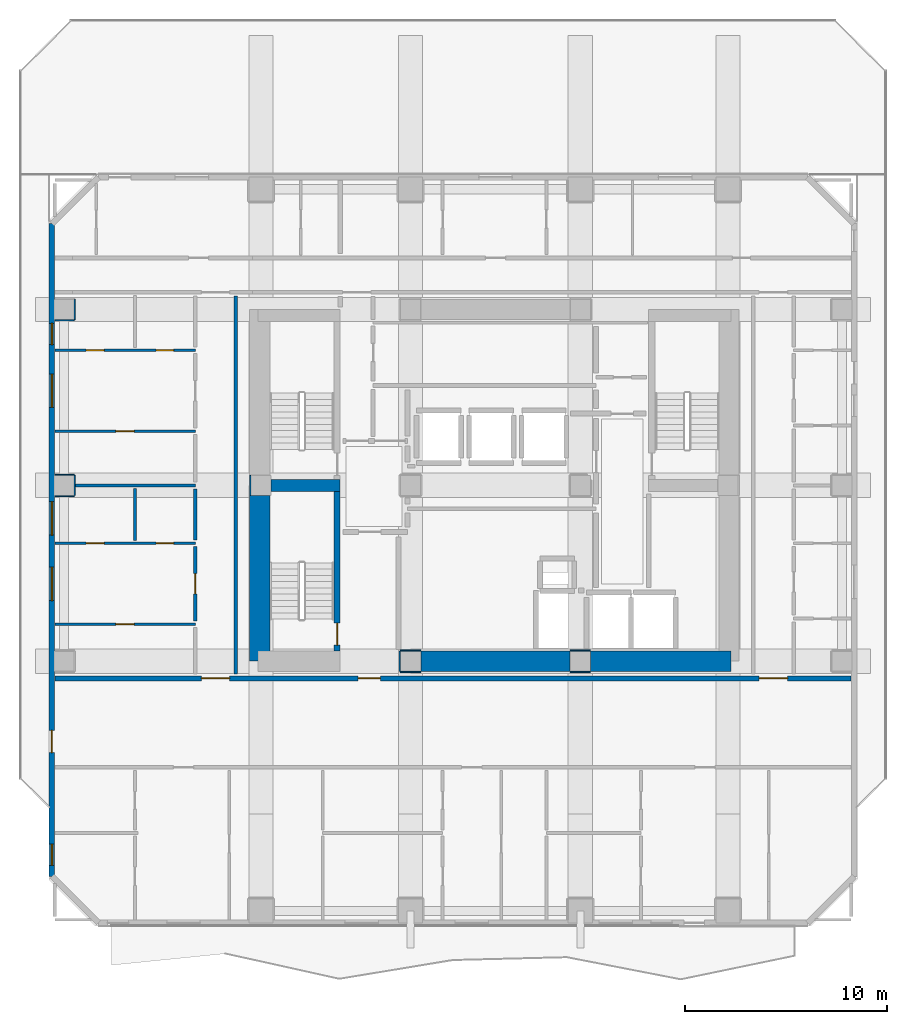
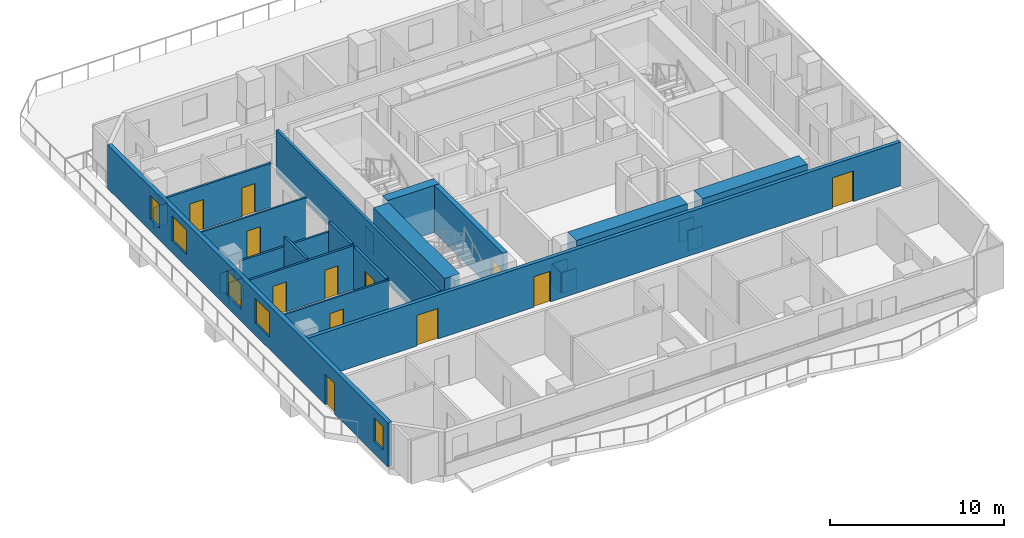
# One storey, part 3 of 11: 27 walls, 12 doors, 5 windows, 17 openings.
"""IFC4 building model written with IfcOpenShell, lengths in metres."""

from ifc_helpers import new_model, si_unit, direction, frame, frame_2d, origin, place, context, subcontext, project, spatial, rectangle, extrude, material, layer, layer_set, type_object, element, fill, save


model = new_model("IFC4")

# Units and contexts
model_context = context("Model", 3, precision=1e-05, world=origin(), true_north=direction((0.0, 1.0)))
body_context = subcontext(model_context, "Body", "Model", "MODEL_VIEW")
ifc_project = project(units=[si_unit("LENGTHUNIT", "METRE"), si_unit("AREAUNIT", "SQUARE_METRE"), si_unit("VOLUMEUNIT", "CUBIC_METRE"), si_unit("PLANEANGLEUNIT", "RADIAN"), si_unit("MASSUNIT", "GRAM", prefix="KILO")], contexts=[model_context])

# Site, building, storey
site_placement = place(None, origin())
site = spatial("IfcSite", under=ifc_project, at=site_placement, CompositionType="ELEMENT")
building_placement = place(site_placement, origin())
building = spatial("IfcBuilding", under=site, at=building_placement, Name="Solanera Arch Residences", CompositionType="ELEMENT")
storey_placement = place(building_placement, frame((0.0, 0.0, 106.080078125)))
storey = spatial("IfcBuildingStorey", under=building, at=storey_placement, Name="L30", CompositionType="ELEMENT", Elevation=106.080078125)

# Walls
ifc_material_1 = material(Name="Fire-Rated Gypsum Stud Partition", Category="gypsum")
ifc_layer_1 = layer(ifc_material_1, 0.06005859375)
ifc_layer_set_1 = layer_set([ifc_layer_1], Name="Fire-Rated Gypsum Stud Partition")
wall_type_1 = type_object("IfcWallType", Name="Column Acoustic Furring Wall 60", PredefinedType="PARTITIONING", material=ifc_layer_set_1)
for number, where, z_axis, x_axis, name in (
    (1, (20.300048828125, 21.468017578125, 0.0), (0.0, 0.0, 1.0), (1.0, 0.0, 0.0), "L30 Column Furring 1S"),
    (2, (20.300048828125, 22.531982421875, 0.0), (0.0, 0.0, 1.0), (1.0, 0.0, 0.0), "L30 Column Furring 1N"),
    (3, (20.26806640625, 21.5, 0.0), (0.0, 0.0, 1.0), (0.0, 1.0, 0.0), "L30 Column Furring 1W"),
    (4, (28.699951171875, 21.468017578125, 0.0), (0.0, 0.0, 1.0), (1.0, 0.0, 0.0), "L30 Column Furring 2S"),
    (5, (28.699951171875, 22.531982421875, 0.0), (0.0, 0.0, 1.0), (1.0, 0.0, 0.0), "L30 Column Furring 2N"),
):
    element("IfcWall", number, at=place(storey_placement, frame(where, z_axis=z_axis, x_axis=x_axis)), inside=storey, type_object=wall_type_1, Name=name, PredefinedType="PARTITIONING", context=body_context, shape_type="SweptSolid", body=[
        extrude(rectangle(XDim=1.0, YDim=0.06005859375, at=frame_2d((0.5, 0.0))), origin(), (0.0, 0.0, 1.0), 1.449951171875),
    ])
wall_1_placement = place(storey_placement, frame((12.867919921875, 30.2099609375, 0.0), z_axis=(0.0, 0.0, 1.0), x_axis=(0.0, 1.0, 0.0)))
element("IfcWall", 6, at=wall_1_placement, inside=storey, type_object=wall_type_1, Name="L30 Column Furring 5W", PredefinedType="PARTITIONING", context=body_context, shape_type="SweptSolid", body=[
    extrude(rectangle(XDim=0.97998046875, YDim=0.06005859375, at=frame_2d((0.489990234375, 0.0))), origin(), (0.0, 0.0, 1.0), 1.449951171875),
])
for number, where, z_axis, x_axis, name in (
    (7, (3.2099609375, 30.16796875, 0.0), (0.0, 0.0, 1.0), (1.0, 0.0, 0.0), "L30 Column Furring 19S"),
    (8, (3.2099609375, 31.23193359375, 0.0), (0.0, 0.0, 1.0), (1.0, 0.0, 0.0), "L30 Column Furring 19N"),
):
    element("IfcWall", number, at=place(storey_placement, frame(where, z_axis=z_axis, x_axis=x_axis)), inside=storey, type_object=wall_type_1, Name=name, PredefinedType="PARTITIONING", context=body_context, shape_type="SweptSolid", body=[
        extrude(rectangle(XDim=0.93994140625, YDim=0.06005859375, at=frame_2d((0.469970703125, 0.0))), origin(), (0.0, 0.0, 1.0), 1.449951171875),
    ])
wall_2_placement = place(storey_placement, frame((4.181884765625, 30.199951171875, 0.0), z_axis=(0.0, 0.0, 1.0), x_axis=(0.0, 1.0, 0.0)))
element("IfcWall", 9, at=wall_2_placement, inside=storey, type_object=wall_type_1, Name="L30 Column Furring 19E", PredefinedType="PARTITIONING", context=body_context, shape_type="SweptSolid", body=[
    extrude(rectangle(XDim=1.0, YDim=0.06005859375, at=frame_2d((0.5, 0.0))), origin(), (0.0, 0.0, 1.0), 1.449951171875),
])
wall_3_placement = place(storey_placement, frame((3.2099609375, 38.867919921875, 0.0), z_axis=(0.0, 0.0, 1.0), x_axis=(1.0, 0.0, 0.0)))
element("IfcWall", 10, at=wall_3_placement, inside=storey, type_object=wall_type_1, Name="L30 Column Furring 21S", PredefinedType="PARTITIONING", context=body_context, shape_type="SweptSolid", body=[
    extrude(rectangle(XDim=0.93994140625, YDim=0.06005859375, at=frame_2d((0.469970703125, 0.0))), origin(), (0.0, 0.0, 1.0), 1.449951171875),
])
wall_4_placement = place(storey_placement, frame((4.181884765625, 38.89990234375, 0.0), z_axis=(0.0, 0.0, 1.0), x_axis=(0.0, 1.0, 0.0)))
element("IfcWall", 11, at=wall_4_placement, inside=storey, type_object=wall_type_1, Name="L30 Column Furring 21E", PredefinedType="PARTITIONING", context=body_context, shape_type="SweptSolid", body=[
    extrude(rectangle(XDim=1.0, YDim=0.06005859375, at=frame_2d((0.5, 0.0))), origin(), (0.0, 0.0, 1.0), 1.449951171875),
])
ifc_material_2 = material(Name="Concrete C55/67 (f'c = 60 MPa)", Category="concrete")
ifc_layer_2 = layer(ifc_material_2, 1.0)
ifc_layer_set_2 = layer_set([ifc_layer_2], Name="Concrete C55/67 (f'c = 60 MPa)")
wall_type_2 = type_object("IfcWallType", Name="Core Shear Wall CW-1000", PredefinedType="SHEAR", material=ifc_layer_set_2)
wall_5_placement = place(storey_placement, frame((13.340087890625, 22.0, 0.0), z_axis=(0.0, 0.0, 1.0), x_axis=(0.0, 1.0, 0.0)))
element("IfcWall", 12, at=wall_5_placement, inside=storey, type_object=wall_type_2, Name="L30 West Core South Shear Wall", PredefinedType="SHEAR", context=body_context, shape_type="SweptSolid", body=[
    extrude(rectangle(XDim=8.195068359375, YDim=1.0, at=frame_2d((4.09765625, 0.0))), origin(), (0.0, 0.0, 1.0), 3.31982421875),
])
wall_6_placement = place(storey_placement, frame((29.705078125, 22.0, 0.0), z_axis=(0.0, 0.0, 1.0), x_axis=(1.0, 0.0, 0.0)))
element("IfcWall", 13, at=wall_6_placement, inside=storey, type_object=wall_type_2, Name="L30 South-East Core Shear Wall", PredefinedType="SHEAR", context=body_context, shape_type="SweptSolid", body=[
    extrude(rectangle(XDim=6.954833984375, YDim=1.0, at=frame_2d((3.4775390625, 0.0))), origin(), (0.0, 0.0, 1.0), 3.31982421875),
])
wall_7_placement = place(storey_placement, frame((21.304931640625, 22.0, 0.0), z_axis=(0.0, 0.0, 1.0), x_axis=(1.0, 0.0, 0.0)))
element("IfcWall", 14, at=wall_7_placement, inside=storey, type_object=wall_type_2, Name="L30 Central South Core Shear Wall", PredefinedType="SHEAR", context=body_context, shape_type="SweptSolid", body=[
    extrude(rectangle(XDim=7.39013671875, YDim=1.0, at=frame_2d((3.695068359375, 0.0))), origin(), (0.0, 0.0, 1.0), 3.31982421875),
])

# Wall, opening, door
ifc_material_3 = material(Name="Concrete C40/50 (f'c = 45 MPa)", Category="concrete")
ifc_layer_3 = layer(ifc_material_3, 0.320068359375)
ifc_layer_set_3 = layer_set([ifc_layer_3], Name="Concrete C40/50 (f'c = 45 MPa)")
wall_type_3 = type_object("IfcWallType", Name="Core Shear Wall CW-320", PredefinedType="SHEAR", material=ifc_layer_set_3)
wall_8_placement = place(storey_placement, frame((17.159912109375, 22.5, 0.0), z_axis=(0.0, 0.0, 1.0), x_axis=(0.0, 1.0, 0.0)))
wall_8 = element("IfcWall", 15, at=wall_8_placement, inside=storey, type_object=wall_type_3, Name="L30 Stair ST-T3 East Shear Wall", PredefinedType="SHEAR", context=body_context, shape_type="SweptSolid", body=[
    extrude(rectangle(XDim=7.89990234375, YDim=0.320068359375, at=frame_2d((3.949951171875, 0.0))), origin(), (0.0, 0.0, 1.0), 3.31982421875),
])
opening_1_placement = place(wall_8_placement, frame((0.2900390625, 0.0, 0.0)))
opening_1 = element("IfcOpeningElement", 16, at=opening_1_placement, cuts=wall_8, Name="Opening DF-01", PredefinedType="OPENING", context=body_context, shape_type="SweptSolid", body=[
    extrude(rectangle(XDim=1.10009765625, YDim=2.14990234375, at=frame_2d((0.550048828125, 1.074951171875))), frame((0.0, 0.169921875, 0.0), z_axis=(0.0, -1.0, 0.0), x_axis=(1.0, 0.0, 0.0)), (0.0, 0.0, 1.0), 0.3401),
])
ifc_material_4 = material(Name="Fire-Rated Architectural Hardwood", Category="wood")
door_type_1 = type_object("IfcDoorType", Name="Stair Exit Fire Door DF-01", OperationType="NOTDEFINED", PredefinedType="DOOR", material=ifc_material_4)
door_1_placement = place(opening_1_placement, origin())
door_1 = element("IfcDoor", 17, at=door_1_placement, inside=storey, type_object=door_type_1, Name="DR-L30-STAIR-ST-T3", OperationType="SINGLE_SWING_RIGHT", OverallHeight=2.14990234375, OverallWidth=1.10009765625, PredefinedType="DOOR", context=body_context, shape_type="SweptSolid", body=[
    extrude(rectangle(XDim=1.10009765625, YDim=2.14990234375, at=frame_2d((0.550048828125, 1.074951171875))), frame((0.0, 0.02490234375, 0.0), z_axis=(0.0, -1.0, 0.0), x_axis=(1.0, 0.0, 0.0)), (0.0, 0.0, 1.0), 0.050048828125),
])
fill(opening_1, door_1)

# Wall
ifc_material_5 = material(Name="Concrete C40/50 (f'c = 45 MPa)", Category="concrete")
ifc_layer_4 = layer(ifc_material_5, 0.60009765625)
ifc_layer_set_4 = layer_set([ifc_layer_4], Name="Concrete C40/50 (f'c = 45 MPa)")
wall_type_4 = type_object("IfcWallType", Name="Core Shear Wall CW-600", PredefinedType="SHEAR", material=ifc_layer_set_4)
wall_9_placement = place(storey_placement, frame((13.905029296875, 30.699951171875, 0.0), z_axis=(0.0, 0.0, 1.0), x_axis=(1.0, 0.0, 0.0)))
element("IfcWall", 18, at=wall_9_placement, inside=storey, type_object=wall_type_4, Name="L30 West Stair Divider Shear Wall", PredefinedType="SHEAR", context=body_context, shape_type="SweptSolid", body=[
    extrude(rectangle(XDim=3.4150390625, YDim=0.60009765625, at=frame_2d((1.70751953125, 0.0))), origin(), (0.0, 0.0, 1.0), 3.31982421875),
])

# Wall, opening, door
ifc_material_6 = material(Name="Autoclaved Aerated Concrete Blockwork", Category="masonry")
ifc_layer_5 = layer(ifc_material_6, 0.179931640625)
ifc_layer_set_5 = layer_set([ifc_layer_5], Name="Autoclaved Aerated Concrete Blockwork")
wall_type_5 = type_object("IfcWallType", Name="Corridor Fire Partition 180", PredefinedType="PARTITIONING", material=ifc_layer_set_5)
wall_10_placement = place(storey_placement, frame((10.14990234375, 23.98193359375, 0.0), z_axis=(0.0, 0.0, 1.0), x_axis=(0.0, 1.0, 0.0)))
wall_10 = element("IfcWall", 19, at=wall_10_placement, inside=storey, type_object=wall_type_5, Name="L30 Interior Partition V9 2", PredefinedType="PARTITIONING", context=body_context, shape_type="SweptSolid", body=[
    extrude(rectangle(XDim=3.68505859375, YDim=0.179931640625, at=frame_2d((1.842529296875, 0.0))), origin(), (0.0, 0.0, 1.0), 3.079833984375),
])
opening_2_placement = place(wall_10_placement, frame((1.347900390625, 0.0, 0.0)))
opening_2 = element("IfcOpeningElement", 20, at=opening_2_placement, cuts=wall_10, Name="Opening DI-01", PredefinedType="OPENING", context=body_context, shape_type="SweptSolid", body=[
    extrude(rectangle(XDim=1.0, YDim=2.14990234375, at=frame_2d((0.5, 1.074951171875))), frame((0.0, 0.10009765625, 0.0), z_axis=(0.0, -1.0, 0.0), x_axis=(1.0, 0.0, 0.0)), (0.0, 0.0, 1.0), 0.1999),
])
ifc_material_7 = material(Name="Fire-Rated Architectural Hardwood", Category="wood")
door_type_2 = type_object("IfcDoorType", Name="Unit Entrance Fire Door DI-01", OperationType="NOTDEFINED", PredefinedType="DOOR", material=ifc_material_7)
door_2_placement = place(opening_2_placement, origin())
door_2 = element("IfcDoor", 21, at=door_2_placement, inside=storey, type_object=door_type_2, Name="DR-L30-IN-036", OperationType="SINGLE_SWING_LEFT", OverallHeight=2.14990234375, OverallWidth=1.0, PredefinedType="DOOR", context=body_context, shape_type="SweptSolid", body=[
    extrude(rectangle(XDim=1.0, YDim=2.14990234375, at=frame_2d((0.5, 1.074951171875))), frame((0.0, 0.02490234375, 0.0), z_axis=(0.0, -1.0, 0.0), x_axis=(1.0, 0.0, 0.0)), (0.0, 0.0, 1.0), 0.050048828125),
])
fill(opening_2, door_2)

# Walls
wall_11_placement = place(storey_placement, frame((10.14990234375, 28.0029296875, 0.0), z_axis=(0.0, 0.0, 1.0), x_axis=(0.0, 1.0, 0.0)))
element("IfcWall", 22, at=wall_11_placement, inside=storey, type_object=wall_type_5, Name="L30 Interior Partition V9 3", PredefinedType="PARTITIONING", context=body_context, shape_type="SweptSolid", body=[
    extrude(rectangle(XDim=2.529052734375, YDim=0.179931640625, at=frame_2d((1.2646484375, 0.0))), origin(), (0.0, 0.0, 1.0), 3.079833984375),
])
wall_12_placement = place(storey_placement, frame((12.14990234375, 21.367919921875, 0.0), z_axis=(0.0, 0.0, 1.0), x_axis=(0.0, 1.0, 0.0)))
element("IfcWall", 23, at=wall_12_placement, inside=storey, type_object=wall_type_5, Name="L30 Interior Partition V10", PredefinedType="PARTITIONING", context=body_context, shape_type="SweptSolid", body=[
    extrude(rectangle(XDim=18.694091796875, YDim=0.179931640625, at=frame_2d((9.34716796875, 0.0))), origin(), (0.0, 0.0, 1.0), 3.079833984375),
])

# Wall, openings, door, windows
ifc_material_8 = material(Name="Precast Concrete C35/45", Category="concrete")
ifc_layer_6 = layer(ifc_material_8, 0.280029296875)
ifc_layer_set_6 = layer_set([ifc_layer_6], Name="Precast Concrete C35/45")
wall_type_6 = type_object("IfcWallType", Name="Exterior Wall Precast Masonry-Frame 280", PredefinedType="STANDARD", material=ifc_layer_set_6)
wall_13_placement = place(storey_placement, frame((3.054931640625, 11.35498046875, 0.0), z_axis=(0.0, 0.0, 1.0), x_axis=(0.0, 1.0, 0.0)))
wall_13 = element("IfcWall", 24, at=wall_13_placement, inside=storey, type_object=wall_type_6, Name="L30 Tower Exterior Precast Masonry-Frame Wall W", PredefinedType="STANDARD", context=body_context, shape_type="SweptSolid", body=[
    extrude(rectangle(XDim=32.2900390625, YDim=0.280029296875, at=frame_2d((16.14501953125, 0.0))), origin(), (0.0, 0.0, 1.0), 3.079833984375),
])
opening_3_placement = place(wall_13_placement, frame((6.118896484375, 0.0, 0.0)))
opening_3 = element("IfcOpeningElement", 25, at=opening_3_placement, cuts=wall_13, Name="Opening DB-02", PredefinedType="OPENING", context=body_context, shape_type="SweptSolid", body=[
    extrude(rectangle(XDim=1.10009765625, YDim=2.14990234375, at=frame_2d((0.550048828125, 1.074951171875))), frame((0.0, 0.14990234375, 0.0), z_axis=(0.0, -1.0, 0.0), x_axis=(1.0, 0.0, 0.0)), (0.0, 0.0, 1.0), 0.3),
])
opening_4_placement = place(wall_13_placement, frame((0.544921875, 0.0, 0.85009765625)))
opening_4 = element("IfcOpeningElement", 26, at=opening_4_placement, cuts=wall_13, Name="Opening W-07", PredefinedType="OPENING", context=body_context, shape_type="SweptSolid", body=[
    extrude(rectangle(XDim=1.050048828125, YDim=1.64990234375, at=frame_2d((0.52490234375, 0.824951171875))), frame((0.0, 0.14990234375, 0.0), z_axis=(0.0, -1.0, 0.0), x_axis=(1.0, 0.0, 0.0)), (0.0, 0.0, 1.0), 0.3),
])
opening_5_placement = place(wall_13_placement, frame((13.64892578125, 0.0, 0.85009765625)))
opening_5 = element("IfcOpeningElement", 27, at=opening_5_placement, cuts=wall_13, Name="Opening W-08", PredefinedType="OPENING", context=body_context, shape_type="SweptSolid", body=[
    extrude(rectangle(XDim=1.64990234375, YDim=1.75, at=frame_2d((0.824951171875, 0.875))), frame((0.0, 0.14990234375, 0.0), z_axis=(0.0, -1.0, 0.0), x_axis=(1.0, 0.0, 0.0)), (0.0, 0.0, 1.0), 0.3),
])
opening_6_placement = place(wall_13_placement, frame((16.886962890625, 0.0, 0.85009765625)))
opening_6 = element("IfcOpeningElement", 28, at=opening_6_placement, cuts=wall_13, Name="Opening W-08", PredefinedType="OPENING", context=body_context, shape_type="SweptSolid", body=[
    extrude(rectangle(XDim=1.64990234375, YDim=1.75, at=frame_2d((0.824951171875, 0.875))), frame((0.0, 0.14990234375, 0.0), z_axis=(0.0, -1.0, 0.0), x_axis=(1.0, 0.0, 0.0)), (0.0, 0.0, 1.0), 0.3),
])
opening_7_placement = place(wall_13_placement, frame((23.199951171875, 0.0, 0.85009765625)))
opening_7 = element("IfcOpeningElement", 29, at=opening_7_placement, cuts=wall_13, Name="Opening W-08", PredefinedType="OPENING", context=body_context, shape_type="SweptSolid", body=[
    extrude(rectangle(XDim=1.64990234375, YDim=1.75, at=frame_2d((0.824951171875, 0.875))), frame((0.0, 0.14990234375, 0.0), z_axis=(0.0, -1.0, 0.0), x_axis=(1.0, 0.0, 0.0)), (0.0, 0.0, 1.0), 0.3),
])
opening_8_placement = place(wall_13_placement, frame((26.31201171875, 0.0, 0.85009765625)))
opening_8 = element("IfcOpeningElement", 30, at=opening_8_placement, cuts=wall_13, Name="Opening W-07", PredefinedType="OPENING", context=body_context, shape_type="SweptSolid", body=[
    extrude(rectangle(XDim=1.050048828125, YDim=1.64990234375, at=frame_2d((0.52490234375, 0.824951171875))), frame((0.0, 0.14990234375, 0.0), z_axis=(0.0, -1.0, 0.0), x_axis=(1.0, 0.0, 0.0)), (0.0, 0.0, 1.0), 0.3),
])
ifc_material_9 = material(Name="Anodised Aluminium Alloy 6063-T6", Category="aluminium")
door_type_3 = type_object("IfcDoorType", Name="Glazed Terrace Swing Door DB-02", OperationType="NOTDEFINED", PredefinedType="DOOR", material=ifc_material_9)
door_3_placement = place(opening_3_placement, origin())
door_3 = element("IfcDoor", 31, at=door_3_placement, inside=storey, type_object=door_type_3, Name="DR-L30-OUT-02", OperationType="SINGLE_SWING_LEFT", OverallHeight=2.14990234375, OverallWidth=1.10009765625, PredefinedType="DOOR", context=body_context, shape_type="SweptSolid", body=[
    extrude(rectangle(XDim=1.10009765625, YDim=2.14990234375, at=frame_2d((0.550048828125, 1.074951171875))), frame((0.0, 0.02490234375, 0.0), z_axis=(0.0, -1.0, 0.0), x_axis=(1.0, 0.0, 0.0)), (0.0, 0.0, 1.0), 0.050048828125),
])
fill(opening_3, door_3)
ifc_material_10 = material(Name="Double Glazed Low-E Laminated Glass", Category="glass")
window_type_1 = type_object("IfcWindowType", Name="Punched Window W-07", PartitioningType="SINGLE_PANEL", PredefinedType="WINDOW", material=ifc_material_10)
window_1_placement = place(opening_4_placement, origin())
window_1 = element("IfcWindow", 32, at=window_1_placement, inside=storey, type_object=window_type_1, Name="L30 3001-BR1 Punched Window", OverallHeight=1.64990234375, OverallWidth=1.050048828125, PartitioningType="SINGLE_PANEL", PredefinedType="WINDOW", context=body_context, shape_type="SweptSolid", body=[
    extrude(rectangle(XDim=1.050048828125, YDim=1.64990234375, at=frame_2d((0.52490234375, 0.824951171875))), frame((0.0, 0.030029296875, 0.0), z_axis=(0.0, -1.0, 0.0), x_axis=(1.0, 0.0, 0.0)), (0.0, 0.0, 1.0), 0.06005859375),
])
fill(opening_4, window_1)
window_2_placement = place(opening_8_placement, origin())
window_2 = element("IfcWindow", 33, at=window_2_placement, inside=storey, type_object=window_type_1, Name="L30 3007-BR1 Punched Window", OverallHeight=1.64990234375, OverallWidth=1.050048828125, PartitioningType="SINGLE_PANEL", PredefinedType="WINDOW", context=body_context, shape_type="SweptSolid", body=[
    extrude(rectangle(XDim=1.050048828125, YDim=1.64990234375, at=frame_2d((0.52490234375, 0.824951171875))), frame((0.0, 0.030029296875, 0.0), z_axis=(0.0, -1.0, 0.0), x_axis=(1.0, 0.0, 0.0)), (0.0, 0.0, 1.0), 0.06005859375),
])
fill(opening_8, window_2)
ifc_material_11 = material(Name="Double Glazed Low-E Laminated Glass", Category="glass")
window_type_2 = type_object("IfcWindowType", Name="Punched Window W-08", PartitioningType="DOUBLE_PANEL_HORIZONTAL", PredefinedType="WINDOW", material=ifc_material_11)
window_3_placement = place(opening_5_placement, origin())
window_3 = element("IfcWindow", 34, at=window_3_placement, inside=storey, type_object=window_type_2, Name="L30 3006-LIV Punched Window", OverallHeight=1.75, OverallWidth=1.64990234375, PartitioningType="SINGLE_PANEL", PredefinedType="WINDOW", context=body_context, shape_type="SweptSolid", body=[
    extrude(rectangle(XDim=1.64990234375, YDim=1.75, at=frame_2d((0.824951171875, 0.875))), frame((0.0, 0.030029296875, 0.0), z_axis=(0.0, -1.0, 0.0), x_axis=(1.0, 0.0, 0.0)), (0.0, 0.0, 1.0), 0.06005859375),
])
fill(opening_5, window_3)
window_4_placement = place(opening_6_placement, origin())
window_4 = element("IfcWindow", 35, at=window_4_placement, inside=storey, type_object=window_type_2, Name="L30 3006-BR1 Punched Window", OverallHeight=1.75, OverallWidth=1.64990234375, PartitioningType="SINGLE_PANEL", PredefinedType="WINDOW", context=body_context, shape_type="SweptSolid", body=[
    extrude(rectangle(XDim=1.64990234375, YDim=1.75, at=frame_2d((0.824951171875, 0.875))), frame((0.0, 0.030029296875, 0.0), z_axis=(0.0, -1.0, 0.0), x_axis=(1.0, 0.0, 0.0)), (0.0, 0.0, 1.0), 0.06005859375),
])
fill(opening_6, window_4)
window_5_placement = place(opening_7_placement, origin())
window_5 = element("IfcWindow", 36, at=window_5_placement, inside=storey, type_object=window_type_2, Name="L30 3007-LIV Punched Window", OverallHeight=1.75, OverallWidth=1.64990234375, PartitioningType="SINGLE_PANEL", PredefinedType="WINDOW", context=body_context, shape_type="SweptSolid", body=[
    extrude(rectangle(XDim=1.64990234375, YDim=1.75, at=frame_2d((0.824951171875, 0.875))), frame((0.0, 0.030029296875, 0.0), z_axis=(0.0, -1.0, 0.0), x_axis=(1.0, 0.0, 0.0)), (0.0, 0.0, 1.0), 0.06005859375),
])
fill(opening_7, window_5)

# Wall, openings, doors
ifc_material_12 = material(Name="Autoclaved Aerated Concrete Blockwork", Category="masonry")
ifc_layer_7 = layer(ifc_material_12, 0.239990234375)
ifc_layer_set_7 = layer_set([ifc_layer_7], Name="Autoclaved Aerated Concrete Blockwork")
wall_type_7 = type_object("IfcWallType", Name="Shaft Wall Fire-Rated 240", PredefinedType="PARTITIONING", material=ifc_layer_set_7)
wall_14_placement = place(storey_placement, frame((3.20703125, 21.14990234375, 0.0), z_axis=(0.0, 0.0, 1.0), x_axis=(1.0, 0.0, 0.0)))
wall_14 = element("IfcWall", 37, at=wall_14_placement, inside=storey, type_object=wall_type_7, Name="L30 Interior Partition H1", PredefinedType="PARTITIONING", context=body_context, shape_type="SweptSolid", body=[
    extrude(rectangle(XDim=39.385986328125, YDim=0.239990234375, at=frame_2d((19.69287109375, 0.0))), origin(), (0.0, 0.0, 1.0), 3.079833984375),
])
opening_9_placement = place(wall_14_placement, frame((15.0029296875, 0.0, 0.0)))
opening_9 = element("IfcOpeningElement", 38, at=opening_9_placement, cuts=wall_14, Name="Opening DF-02", PredefinedType="OPENING", context=body_context, shape_type="SweptSolid", body=[
    extrude(rectangle(XDim=1.10009765625, YDim=2.14990234375, at=frame_2d((0.550048828125, 1.074951171875))), frame((0.0, 0.1298828125, 0.0), z_axis=(0.0, -1.0, 0.0), x_axis=(1.0, 0.0, 0.0)), (0.0, 0.0, 1.0), 0.26),
])
opening_10_placement = place(wall_14_placement, frame((7.242919921875, 0.0, 0.0)))
opening_10 = element("IfcOpeningElement", 39, at=opening_10_placement, cuts=wall_14, Name="Opening DF-03", PredefinedType="OPENING", context=body_context, shape_type="SweptSolid", body=[
    extrude(rectangle(XDim=1.39990234375, YDim=2.14990234375, at=frame_2d((0.699951171875, 1.074951171875))), frame((0.0, 0.1298828125, 0.0), z_axis=(0.0, -1.0, 0.0), x_axis=(1.0, 0.0, 0.0)), (0.0, 0.0, 1.0), 0.26),
])
opening_11_placement = place(wall_14_placement, frame((34.843017578125, 0.0, 0.0)))
opening_11 = element("IfcOpeningElement", 40, at=opening_11_placement, cuts=wall_14, Name="Opening DF-03", PredefinedType="OPENING", context=body_context, shape_type="SweptSolid", body=[
    extrude(rectangle(XDim=1.39990234375, YDim=2.14990234375, at=frame_2d((0.699951171875, 1.074951171875))), frame((0.0, 0.1298828125, 0.0), z_axis=(0.0, -1.0, 0.0), x_axis=(1.0, 0.0, 0.0)), (0.0, 0.0, 1.0), 0.26),
])
ifc_material_13 = material(Name="Fire-Rated Architectural Hardwood", Category="wood")
door_type_4 = type_object("IfcDoorType", Name="Corridor Smoke Door DF-03", OperationType="NOTDEFINED", PredefinedType="DOOR", material=ifc_material_13)
door_4_placement = place(opening_10_placement, origin())
door_4 = element("IfcDoor", 41, at=door_4_placement, inside=storey, type_object=door_type_4, Name="DR-L30-IN-010", OperationType="SINGLE_SWING_LEFT", OverallHeight=2.14990234375, OverallWidth=1.39990234375, PredefinedType="DOOR", context=body_context, shape_type="SweptSolid", body=[
    extrude(rectangle(XDim=1.39990234375, YDim=2.14990234375, at=frame_2d((0.699951171875, 1.074951171875))), frame((0.0, 0.02490234375, 0.0), z_axis=(0.0, -1.0, 0.0), x_axis=(1.0, 0.0, 0.0)), (0.0, 0.0, 1.0), 0.050048828125),
])
fill(opening_10, door_4)
door_5_placement = place(opening_11_placement, origin())
door_5 = element("IfcDoor", 42, at=door_5_placement, inside=storey, type_object=door_type_4, Name="DR-L30-IN-011", OperationType="SINGLE_SWING_RIGHT", OverallHeight=2.14990234375, OverallWidth=1.39990234375, PredefinedType="DOOR", context=body_context, shape_type="SweptSolid", body=[
    extrude(rectangle(XDim=1.39990234375, YDim=2.14990234375, at=frame_2d((0.699951171875, 1.074951171875))), frame((0.0, 0.02490234375, 0.0), z_axis=(0.0, -1.0, 0.0), x_axis=(1.0, 0.0, 0.0)), (0.0, 0.0, 1.0), 0.050048828125),
])
fill(opening_11, door_5)
ifc_material_14 = material(Name="Fire-Rated Architectural Hardwood", Category="wood")
door_type_5 = type_object("IfcDoorType", Name="Firefighting Lobby Fire Door DF-02", OperationType="NOTDEFINED", PredefinedType="DOOR", material=ifc_material_14)
door_6_placement = place(opening_9_placement, origin())
door_6 = element("IfcDoor", 43, at=door_6_placement, inside=storey, type_object=door_type_5, Name="DR-L30-IN-008", OperationType="SINGLE_SWING_LEFT", OverallHeight=2.14990234375, OverallWidth=1.10009765625, PredefinedType="DOOR", context=body_context, shape_type="SweptSolid", body=[
    extrude(rectangle(XDim=1.10009765625, YDim=2.14990234375, at=frame_2d((0.550048828125, 1.074951171875))), frame((0.0, 0.02490234375, 0.0), z_axis=(0.0, -1.0, 0.0), x_axis=(1.0, 0.0, 0.0)), (0.0, 0.0, 1.0), 0.050048828125),
])
fill(opening_9, door_6)

# Wall, opening, door
ifc_material_15 = material(Name="Fire-Rated Gypsum Stud Partition", Category="gypsum")
ifc_layer_8 = layer(ifc_material_15, 0.1201171875)
ifc_layer_set_8 = layer_set([ifc_layer_8], Name="Fire-Rated Gypsum Stud Partition")
wall_type_8 = type_object("IfcWallType", Name="Unit Drywall Partition 120", PredefinedType="PARTITIONING", material=ifc_layer_set_8)
wall_15_placement = place(storey_placement, frame((3.20703125, 23.823974609375, 0.0), z_axis=(0.0, 0.0, 1.0), x_axis=(1.0, 0.0, 0.0)))
wall_15 = element("IfcWall", 44, at=wall_15_placement, inside=storey, type_object=wall_type_8, Name="L30 Interior Partition H26", PredefinedType="PARTITIONING", context=body_context, shape_type="SweptSolid", body=[
    extrude(rectangle(XDim=6.94287109375, YDim=0.1201171875, at=frame_2d((3.471435546875, 0.0))), origin(), (0.0, 0.0, 1.0), 3.079833984375),
])
opening_12_placement = place(wall_15_placement, frame((3.01806640625, 0.0, 0.0)))
opening_12 = element("IfcOpeningElement", 45, at=opening_12_placement, cuts=wall_15, Name="Opening DI-02", PredefinedType="OPENING", context=body_context, shape_type="SweptSolid", body=[
    extrude(rectangle(XDim=0.89990234375, YDim=2.10009765625, at=frame_2d((0.449951171875, 1.050048828125))), frame((0.0, 0.070068359375, 0.0), z_axis=(0.0, -1.0, 0.0), x_axis=(1.0, 0.0, 0.0)), (0.0, 0.0, 1.0), 0.1401),
])
ifc_material_16 = material(Name="Fire-Rated Architectural Hardwood", Category="wood")
door_type_6 = type_object("IfcDoorType", Name="Suite Room Swing Door DI-02", OperationType="NOTDEFINED", PredefinedType="DOOR", material=ifc_material_16)
door_7_placement = place(opening_12_placement, origin())
door_7 = element("IfcDoor", 46, at=door_7_placement, inside=storey, type_object=door_type_6, Name="DR-L30-IN-037", OperationType="SINGLE_SWING_RIGHT", OverallHeight=2.10009765625, OverallWidth=0.89990234375, PredefinedType="DOOR", context=body_context, shape_type="SweptSolid", body=[
    extrude(rectangle(XDim=0.89990234375, YDim=2.10009765625, at=frame_2d((0.449951171875, 1.050048828125))), frame((0.0, 0.02490234375, 0.0), z_axis=(0.0, -1.0, 0.0), x_axis=(1.0, 0.0, 0.0)), (0.0, 0.0, 1.0), 0.050048828125),
])
fill(opening_12, door_7)

wall_16_placement = place(storey_placement, frame((3.20703125, 33.3740234375, 0.0), z_axis=(0.0, 0.0, 1.0), x_axis=(1.0, 0.0, 0.0)))
wall_16 = element("IfcWall", 47, at=wall_16_placement, inside=storey, type_object=wall_type_8, Name="L30 Interior Partition H27", PredefinedType="PARTITIONING", context=body_context, shape_type="SweptSolid", body=[
    extrude(rectangle(XDim=6.94287109375, YDim=0.1201171875, at=frame_2d((3.471435546875, 0.0))), origin(), (0.0, 0.0, 1.0), 3.079833984375),
])
opening_13_placement = place(wall_16_placement, frame((3.01806640625, 0.0, 0.0)))
opening_13 = element("IfcOpeningElement", 48, at=opening_13_placement, cuts=wall_16, Name="Opening DI-02", PredefinedType="OPENING", context=body_context, shape_type="SweptSolid", body=[
    extrude(rectangle(XDim=0.89990234375, YDim=2.10009765625, at=frame_2d((0.449951171875, 1.050048828125))), frame((0.0, 0.070068359375, 0.0), z_axis=(0.0, -1.0, 0.0), x_axis=(1.0, 0.0, 0.0)), (0.0, 0.0, 1.0), 0.1401),
])
door_8_placement = place(opening_13_placement, origin())
door_8 = element("IfcDoor", 49, at=door_8_placement, inside=storey, type_object=door_type_6, Name="DR-L30-IN-041", OperationType="SINGLE_SWING_RIGHT", OverallHeight=2.10009765625, OverallWidth=0.89990234375, PredefinedType="DOOR", context=body_context, shape_type="SweptSolid", body=[
    extrude(rectangle(XDim=0.89990234375, YDim=2.10009765625, at=frame_2d((0.449951171875, 1.050048828125))), frame((0.0, 0.02490234375, 0.0), z_axis=(0.0, -1.0, 0.0), x_axis=(1.0, 0.0, 0.0)), (0.0, 0.0, 1.0), 0.050048828125),
])
fill(opening_13, door_8)

# Wall, openings, doors
ifc_material_17 = material(Name="Autoclaved Aerated Concrete Blockwork", Category="masonry")
ifc_layer_9 = layer(ifc_material_17, 0.139892578125)
ifc_layer_set_9 = layer_set([ifc_layer_9], Name="Autoclaved Aerated Concrete Blockwork")
wall_type_9 = type_object("IfcWallType", Name="Wet-Room Partition 140", PredefinedType="PARTITIONING", material=ifc_layer_set_9)
wall_17_placement = place(storey_placement, frame((3.20703125, 27.8349609375, 0.0), z_axis=(0.0, 0.0, 1.0), x_axis=(1.0, 0.0, 0.0)))
wall_17 = element("IfcWall", 50, at=wall_17_placement, inside=storey, type_object=wall_type_9, Name="L30 Interior Partition H17", PredefinedType="PARTITIONING", context=body_context, shape_type="SweptSolid", body=[
    extrude(rectangle(XDim=6.94287109375, YDim=0.139892578125, at=frame_2d((3.471435546875, 0.0))), origin(), (0.0, 0.0, 1.0), 3.079833984375),
])
opening_14_placement = place(wall_17_placement, frame((5.006103515625, 0.0, 0.0)))
opening_14 = element("IfcOpeningElement", 51, at=opening_14_placement, cuts=wall_17, Name="Opening DI-05", PredefinedType="OPENING", context=body_context, shape_type="SweptSolid", body=[
    extrude(rectangle(XDim=0.860107421875, YDim=2.02001953125, at=frame_2d((0.43017578125, 1.010009765625))), frame((0.0, 0.079833984375, 0.0), z_axis=(0.0, -1.0, 0.0), x_axis=(1.0, 0.0, 0.0)), (0.0, 0.0, 1.0), 0.1599),
])
opening_15_placement = place(wall_17_placement, frame((1.537109375, 0.0, 0.0)))
opening_15 = element("IfcOpeningElement", 52, at=opening_15_placement, cuts=wall_17, Name="Opening DI-03", PredefinedType="OPENING", context=body_context, shape_type="SweptSolid", body=[
    extrude(rectangle(XDim=0.89990234375, YDim=2.10009765625, at=frame_2d((0.449951171875, 1.050048828125))), frame((0.0, 0.079833984375, 0.0), z_axis=(0.0, -1.0, 0.0), x_axis=(1.0, 0.0, 0.0)), (0.0, 0.0, 1.0), 0.1599),
])
ifc_material_18 = material(Name="Fire-Rated Architectural Hardwood", Category="wood")
door_type_7 = type_object("IfcDoorType", Name="Bathroom Swing Door DI-05", OperationType="NOTDEFINED", PredefinedType="DOOR", material=ifc_material_18)
door_9_placement = place(opening_14_placement, origin())
door_9 = element("IfcDoor", 53, at=door_9_placement, inside=storey, type_object=door_type_7, Name="DR-L30-IN-038", OperationType="SINGLE_SWING_LEFT", OverallHeight=2.02001953125, OverallWidth=0.860107421875, PredefinedType="DOOR", context=body_context, shape_type="SweptSolid", body=[
    extrude(rectangle(XDim=0.860107421875, YDim=2.02001953125, at=frame_2d((0.43017578125, 1.010009765625))), frame((0.0, 0.02490234375, 0.0), z_axis=(0.0, -1.0, 0.0), x_axis=(1.0, 0.0, 0.0)), (0.0, 0.0, 1.0), 0.050048828125),
])
fill(opening_14, door_9)
ifc_material_19 = material(Name="Fire-Rated Architectural Hardwood", Category="wood")
door_type_8 = type_object("IfcDoorType", Name="Bedroom Swing Door DI-03", OperationType="NOTDEFINED", PredefinedType="DOOR", material=ifc_material_19)
door_10_placement = place(opening_15_placement, origin())
door_10 = element("IfcDoor", 54, at=door_10_placement, inside=storey, type_object=door_type_8, Name="DR-L30-IN-039", OperationType="SINGLE_SWING_RIGHT", OverallHeight=2.10009765625, OverallWidth=0.89990234375, PredefinedType="DOOR", context=body_context, shape_type="SweptSolid", body=[
    extrude(rectangle(XDim=0.89990234375, YDim=2.10009765625, at=frame_2d((0.449951171875, 1.050048828125))), frame((0.0, 0.02490234375, 0.0), z_axis=(0.0, -1.0, 0.0), x_axis=(1.0, 0.0, 0.0)), (0.0, 0.0, 1.0), 0.050048828125),
])
fill(opening_15, door_10)

# Wall
wall_18_placement = place(storey_placement, frame((4.23193359375, 30.699951171875, 0.0), z_axis=(0.0, 0.0, 1.0), x_axis=(1.0, 0.0, 0.0)))
element("IfcWall", 55, at=wall_18_placement, inside=storey, type_object=wall_type_9, Name="L30 Interior Partition H19", PredefinedType="PARTITIONING", context=body_context, shape_type="SweptSolid", body=[
    extrude(rectangle(XDim=5.91796875, YDim=0.139892578125, at=frame_2d((2.958984375, 0.0))), origin(), (0.0, 0.0, 1.0), 2.31494140625),
])

# Wall, openings, doors
wall_19_placement = place(storey_placement, frame((3.20703125, 37.385009765625, 0.0), z_axis=(0.0, 0.0, 1.0), x_axis=(1.0, 0.0, 0.0)))
wall_19 = element("IfcWall", 56, at=wall_19_placement, inside=storey, type_object=wall_type_9, Name="L30 Interior Partition H22", PredefinedType="PARTITIONING", context=body_context, shape_type="SweptSolid", body=[
    extrude(rectangle(XDim=6.94287109375, YDim=0.139892578125, at=frame_2d((3.471435546875, 0.0))), origin(), (0.0, 0.0, 1.0), 3.079833984375),
])
opening_16_placement = place(wall_19_placement, frame((5.006103515625, 0.0, 0.0)))
opening_16 = element("IfcOpeningElement", 57, at=opening_16_placement, cuts=wall_19, Name="Opening DI-05", PredefinedType="OPENING", context=body_context, shape_type="SweptSolid", body=[
    extrude(rectangle(XDim=0.860107421875, YDim=2.02001953125, at=frame_2d((0.43017578125, 1.010009765625))), frame((0.0, 0.079833984375, 0.0), z_axis=(0.0, -1.0, 0.0), x_axis=(1.0, 0.0, 0.0)), (0.0, 0.0, 1.0), 0.1599),
])
opening_17_placement = place(wall_19_placement, frame((1.537109375, 0.0, 0.0)))
opening_17 = element("IfcOpeningElement", 58, at=opening_17_placement, cuts=wall_19, Name="Opening DI-03", PredefinedType="OPENING", context=body_context, shape_type="SweptSolid", body=[
    extrude(rectangle(XDim=0.89990234375, YDim=2.10009765625, at=frame_2d((0.449951171875, 1.050048828125))), frame((0.0, 0.079833984375, 0.0), z_axis=(0.0, -1.0, 0.0), x_axis=(1.0, 0.0, 0.0)), (0.0, 0.0, 1.0), 0.1599),
])
door_11_placement = place(opening_16_placement, origin())
door_11 = element("IfcDoor", 59, at=door_11_placement, inside=storey, type_object=door_type_7, Name="DR-L30-IN-042", OperationType="SINGLE_SWING_LEFT", OverallHeight=2.02001953125, OverallWidth=0.860107421875, PredefinedType="DOOR", context=body_context, shape_type="SweptSolid", body=[
    extrude(rectangle(XDim=0.860107421875, YDim=2.02001953125, at=frame_2d((0.43017578125, 1.010009765625))), frame((0.0, 0.02490234375, 0.0), z_axis=(0.0, -1.0, 0.0), x_axis=(1.0, 0.0, 0.0)), (0.0, 0.0, 1.0), 0.050048828125),
])
fill(opening_16, door_11)
door_12_placement = place(opening_17_placement, origin())
door_12 = element("IfcDoor", 60, at=door_12_placement, inside=storey, type_object=door_type_8, Name="DR-L30-IN-043", OperationType="SINGLE_SWING_RIGHT", OverallHeight=2.10009765625, OverallWidth=0.89990234375, PredefinedType="DOOR", context=body_context, shape_type="SweptSolid", body=[
    extrude(rectangle(XDim=0.89990234375, YDim=2.10009765625, at=frame_2d((0.449951171875, 1.050048828125))), frame((0.0, 0.02490234375, 0.0), z_axis=(0.0, -1.0, 0.0), x_axis=(1.0, 0.0, 0.0)), (0.0, 0.0, 1.0), 0.050048828125),
])
fill(opening_17, door_12)

# Wall
wall_20_placement = place(storey_placement, frame((7.162109375, 27.98291015625, 0.0), z_axis=(0.0, 0.0, 1.0), x_axis=(0.0, 1.0, 0.0)))
element("IfcWall", 61, at=wall_20_placement, inside=storey, type_object=wall_type_9, Name="L30 Interior Partition V17", PredefinedType="PARTITIONING", context=body_context, shape_type="SweptSolid", body=[
    extrude(rectangle(XDim=2.569091796875, YDim=0.139892578125, at=frame_2d((1.28466796875, 0.0))), origin(), (0.0, 0.0, 1.0), 3.079833984375),
])

save(model, "model.ifc")
